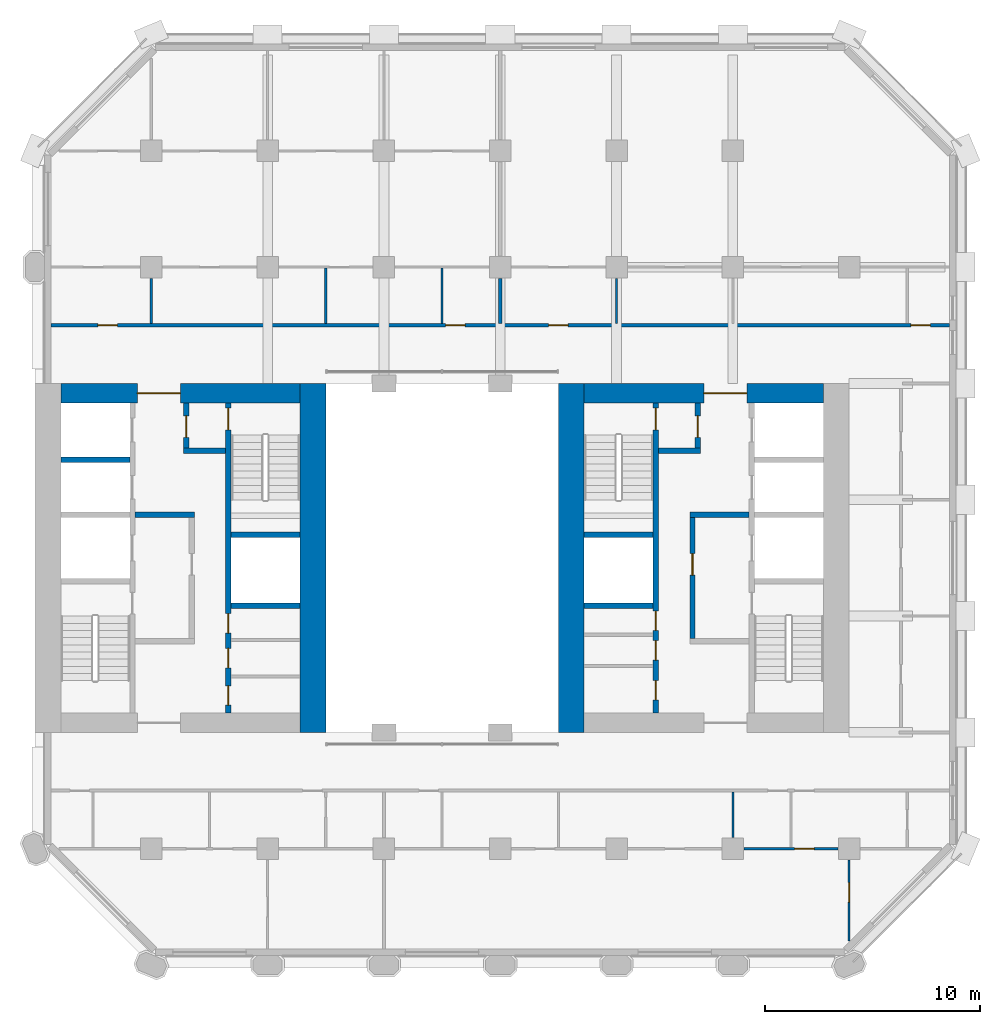
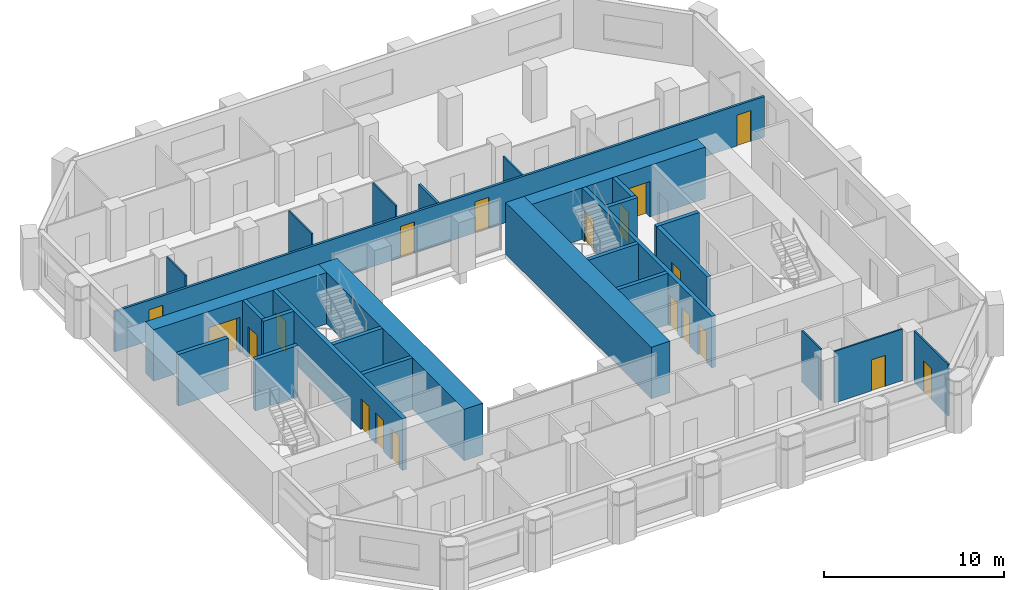
# One storey, part 5 of 10: 27 walls, 19 doors, 19 openings.
"""IFC4 building model written with IfcOpenShell, lengths in metres."""

import ifcopenshell
import ifcopenshell.guid

model = None  # the IFC model being written
_history = None  # IfcOwnerHistory: only IFC2X3 demands one
_inside = {}  # id of a spatial element -> (the spatial element, [elements in it])
_under = {}  # id of a project, library or spatial element -> (it, [spatial elements below it])
_declared = {}  # id of a project -> (the project, [libraries it declares])
_typed = {}  # id of a type object -> (the type object, [elements of that type])
_made_of = {}  # id of a material, layer set ... -> (it, [elements and type objects made of it])


def new_model(schema):
    """Start an empty IFC model of exactly this schema.

    Asked for "IFC4X3", IfcOpenShell would pick the latest addendum, in which some entities
    have other attributes; the version numbers below select the first issue.
    IFC2X3 requires an IfcOwnerHistory on every rooted entity: one is made here for all.
    """
    global model, _history
    if schema == "IFC4X3":
        model = ifcopenshell.file(schema_version=(4, 3, 0, 0))
    else:
        model = ifcopenshell.file(schema=schema)
    _inside.clear()
    _under.clear()
    _declared.clear()
    _typed.clear()
    _made_of.clear()
    _history = None
    if model.schema == "IFC2X3":
        org = make("IfcOrganization", Name="unknown")
        user = make(
            "IfcPersonAndOrganization",
            ThePerson=make("IfcPerson", FamilyName="unknown"),
            TheOrganization=org,
        )
        app = make(
            "IfcApplication",
            ApplicationDeveloper=org,
            Version="unknown",
            ApplicationFullName="unknown",
            ApplicationIdentifier="unknown",
        )
        _history = make(
            "IfcOwnerHistory",
            OwningUser=user,
            OwningApplication=app,
            ChangeAction="ADDED",
            CreationDate=0,
        )
    return model


def make(cls, **values):
    """One entity of the class cls with the attributes given. An attribute that is None is left unset."""
    return model.create_entity(
        cls, **{name: value for name, value in values.items() if value is not None}
    )


def rooted(cls, **values):
    """An entity with a GlobalId (a new one), such as an element, a storey or a relation."""
    return make(cls, GlobalId=ifcopenshell.guid.new(), OwnerHistory=_history, **values)


def si_unit(unit_type, name, prefix=None):
    """IfcSIUnit, for example si_unit("LENGTHUNIT", "METRE", prefix="MILLI")."""
    return make("IfcSIUnit", UnitType=unit_type, Prefix=prefix, Name=name)


def assignment(units):
    """IfcUnitAssignment: the units of a project."""
    return None if units is None else make("IfcUnitAssignment", Units=units)


def point(xyz):
    """IfcCartesianPoint."""
    return None if xyz is None else make("IfcCartesianPoint", Coordinates=xyz)


def direction(xyz):
    """IfcDirection."""
    return None if xyz is None else make("IfcDirection", DirectionRatios=xyz)


def frame(location, z_axis=None, x_axis=None):
    """IfcAxis2Placement3D, a coordinate frame: its origin and axes. An axis left out is left unset."""
    return make(
        "IfcAxis2Placement3D",
        Location=point(location),
        Axis=direction(z_axis),
        RefDirection=direction(x_axis),
    )


def frame_2d(location, x_axis=None):
    """IfcAxis2Placement2D, a coordinate frame in the plane: its origin and x axis."""
    return make(
        "IfcAxis2Placement2D", Location=point(location), RefDirection=direction(x_axis)
    )


def origin():
    """The frame at (0, 0, 0) with its axes left unset."""
    return frame((0.0, 0.0, 0.0))


def place(relative_to, where):
    """IfcLocalPlacement: puts the frame where relative to a parent placement (None: the world)."""
    return make(
        "IfcLocalPlacement", PlacementRelTo=relative_to, RelativePlacement=where
    )


def context(
    kind, dimensions, precision=None, world=None, true_north=None, identifier=None
):
    """IfcGeometricRepresentationContext, for example the 3D "Model" context."""
    return make(
        "IfcGeometricRepresentationContext",
        ContextIdentifier=identifier,
        ContextType=kind,
        CoordinateSpaceDimension=dimensions,
        Precision=precision,
        WorldCoordinateSystem=world,
        TrueNorth=true_north,
    )


def subcontext(parent, identifier, kind, view, scale=None):
    """IfcGeometricRepresentationSubContext, for example "Body" below "Model"."""
    return make(
        "IfcGeometricRepresentationSubContext",
        ContextIdentifier=identifier,
        ContextType=kind,
        ParentContext=parent,
        TargetScale=scale,
        TargetView=view,
    )


def project(units=None, contexts=None):
    """IfcProject with its units and contexts."""
    return rooted(
        "IfcProject",
        Name="project",
        RepresentationContexts=contexts,
        UnitsInContext=assignment(units),
    )


def spatial(cls, under=None, at=None, **own):
    """A site, building, storey or space (cls), placed at a placement, below another one or the project."""
    s = rooted(cls, ObjectPlacement=at, **own)
    if under is not None:
        _under.setdefault(under.id(), (under, []))[1].append(s)
    return s


def profile(cls, at=None, kind="AREA", **sizes):
    """A parametric profile (cls). Its sizes go by their IFC names, for example OverallWidth=200.0."""
    return make(cls, ProfileType=kind, Position=at, **sizes)


def rectangle(**sizes):
    """IfcRectangleProfileDef."""
    return profile("IfcRectangleProfileDef", **sizes)


def extrude(swept, where, along, depth):
    """IfcExtrudedAreaSolid: the profile swept, set in the frame where, extruded along a direction by depth."""
    return make(
        "IfcExtrudedAreaSolid",
        SweptArea=swept,
        Position=where,
        ExtrudedDirection=direction(along),
        Depth=depth,
    )


def shape(context_of_items, identifier, shape_type, items):
    """IfcShapeRepresentation: the items that make up one representation, for example the "Body"."""
    return make(
        "IfcShapeRepresentation",
        ContextOfItems=context_of_items,
        RepresentationIdentifier=identifier,
        RepresentationType=shape_type,
        Items=items,
    )


def material(Name=None, Category=None):
    """IfcMaterial."""
    return make("IfcMaterial", Name=Name, Category=Category)


def layer(
    of_material, thickness, ventilated=None, Name=None, Category=None, Priority=None
):
    """IfcMaterialLayer: one layer of a wall or slab, of a material (None: an air gap)."""
    return make(
        "IfcMaterialLayer",
        Material=of_material,
        LayerThickness=thickness,
        IsVentilated=ventilated,
        Name=Name,
        Category=Category,
        Priority=Priority,
    )


def layer_set(layers, Name=None):
    """IfcMaterialLayerSet."""
    return make("IfcMaterialLayerSet", MaterialLayers=layers, LayerSetName=Name)


def made_of(thing, what):
    """Note that an element or type object is made of a material, layer set ...; save() writes the relation."""
    if what is not None:
        _made_of.setdefault(what.id(), (what, []))[1].append(thing)
    return thing


def type_object(cls, material=None, **own):
    """A type object (cls), such as IfcWallType, which elements share."""
    return made_of(rooted(cls, **own), material)


def element(
    cls,
    number,
    at=None,
    inside=None,
    cuts=None,
    type_object=None,
    material=None,
    context=None,
    identifier="Body",
    shape_type=None,
    held_by="IfcProductDefinitionShape",
    body=None,
    shapes=None,
    **own,
):
    """One element of the class cls, such as IfcWall. Its Tag is "e" and its number.

    at: its placement. inside: the storey or other place that contains it. cuts: it is an
    opening in that element (IfcRelVoidsElement). A single representation is given by context,
    identifier, shape_type and body (its items); several are given by shapes. held_by: the class
    of the entity that holds the representations. save() writes the other relations.
    """
    e = rooted(cls, Tag="e%d" % number, ObjectPlacement=at, **own)
    if body is not None:
        shapes = [shape(context, identifier, shape_type, body)]
    if shapes is not None:
        e.Representation = make(held_by, Representations=shapes)
    if inside is not None:
        _inside.setdefault(inside.id(), (inside, []))[1].append(e)
    if cuts is not None:
        rooted(
            "IfcRelVoidsElement", RelatingBuildingElement=cuts, RelatedOpeningElement=e
        )
    if type_object is not None:
        _typed.setdefault(type_object.id(), (type_object, []))[1].append(e)
    return made_of(e, material)


def fill(opening, filler):
    """IfcRelFillsElement: the door or window that sits in an opening."""
    return rooted(
        "IfcRelFillsElement",
        RelatingOpeningElement=opening,
        RelatedBuildingElement=filler,
    )


def aggregate(whole, parts):
    """IfcRelAggregates: a whole, such as a stair, and the parts it consists of."""
    return rooted("IfcRelAggregates", RelatingObject=whole, RelatedObjects=parts)


def save(model, path):
    """Write the relations noted so far, then the file.

    IfcRelAggregates (storeys below a building ...), IfcRelContainedInSpatialStructure (elements
    in a storey), IfcRelDefinesByType, IfcRelAssociatesMaterial and IfcRelDeclares: one each for
    every whole, place, type object, material and project.
    """
    for whole, parts in _under.values():
        aggregate(whole, parts)
    for where, things in _inside.values():
        rooted(
            "IfcRelContainedInSpatialStructure",
            RelatedElements=things,
            RelatingStructure=where,
        )
    for kind, things in _typed.values():
        rooted("IfcRelDefinesByType", RelatedObjects=things, RelatingType=kind)
    for what, things in _made_of.values():
        rooted("IfcRelAssociatesMaterial", RelatedObjects=things, RelatingMaterial=what)
    for by, libraries in _declared.values():
        rooted("IfcRelDeclares", RelatingContext=by, RelatedDefinitions=libraries)
    model.write(path)


model = new_model("IFC4")

# Units and contexts
model_context = context("Model", 3, precision=1e-05, world=origin(), true_north=direction((0.0, 1.0)))
body_context = subcontext(model_context, "Body", "Model", "MODEL_VIEW")
ifc_project = project(units=[si_unit("LENGTHUNIT", "METRE"), si_unit("AREAUNIT", "SQUARE_METRE"), si_unit("VOLUMEUNIT", "CUBIC_METRE"), si_unit("PLANEANGLEUNIT", "RADIAN"), si_unit("MASSUNIT", "GRAM", prefix="KILO")], contexts=[model_context])

# Site, building, storey
site_placement = place(None, origin())
site = spatial("IfcSite", under=ifc_project, at=site_placement, CompositionType="ELEMENT")
building_placement = place(site_placement, origin())
building = spatial("IfcBuilding", under=site, at=building_placement, Name="Tabaq Tower and Sports Hall", CompositionType="ELEMENT")
storey_placement = place(building_placement, frame((0.0, 0.0, 87.800048828125)))
storey = spatial("IfcBuildingStorey", under=building, at=storey_placement, Name="L20", CompositionType="ELEMENT", Elevation=87.800048828125)

# Walls
ifc_material_1 = material(Name="Concrete C60/75", Category="concrete")
ifc_layer_1 = layer(ifc_material_1, 1.199951171875)
ifc_layer_set_1 = layer_set([ifc_layer_1], Name="Core wall 1200 Concrete C60/75")
wall_type_1 = type_object("IfcWallType", Name="Core wall 1200 Concrete C60/75", PredefinedType="SOLIDWALL", material=ifc_layer_set_1)
for number, where, z_axis, x_axis, name in (
    (1, (18.300048828125, 32.39990234375, 0.0), (0.0, 0.0, 1.0), (0.0, -1.0, 0.0), "Core wall W L20"),
    (2, (30.300048828125, 16.199951171875, 0.0), (0.0, 0.0, 1.0), (0.0, 1.0, 0.0), "Core wall E L20"),
):
    element("IfcWall", number, at=place(storey_placement, frame(where, z_axis=z_axis, x_axis=x_axis)), inside=storey, type_object=wall_type_1, Name=name, PredefinedType="SOLIDWALL", context=body_context, shape_type="SweptSolid", body=[
        extrude(rectangle(XDim=16.199951171875, YDim=1.199951171875, at=frame_2d((8.10009765625, 0.0))), origin(), (0.0, 0.0, 1.0), 3.5),
    ])

# Wall, opening, door
ifc_material_2 = material(Name="Concrete C60/75", Category="concrete")
ifc_layer_2 = layer(ifc_material_2, 0.89990234375)
ifc_layer_set_2 = layer_set([ifc_layer_2], Name="Core wall 900 Concrete C60/75")
wall_type_2 = type_object("IfcWallType", Name="Core wall 900 Concrete C60/75", PredefinedType="SOLIDWALL", material=ifc_layer_set_2)
wall_1_placement = place(storey_placement, frame((6.60009765625, 31.949951171875, 0.0), z_axis=(0.0, 0.0, 1.0), x_axis=(1.0, 0.0, 0.0)))
wall_1 = element("IfcWall", 3, at=wall_1_placement, inside=storey, type_object=wall_type_2, Name="Core wall W L20", PredefinedType="SOLIDWALL", context=body_context, shape_type="SweptSolid", body=[
    extrude(rectangle(XDim=11.099853515625, YDim=0.89990234375, at=frame_2d((5.5498046875, 0.0))), origin(), (0.0, 0.0, 1.0), 3.5),
])
opening_1_placement = place(wall_1_placement, frame((3.550048828125, 0.0, 0.0)))
opening_1 = element("IfcOpeningElement", 4, at=opening_1_placement, cuts=wall_1, Name="Opening PD-WL20-02", PredefinedType="OPENING", context=body_context, shape_type="SweptSolid", body=[
    extrude(rectangle(XDim=2.0, YDim=2.39990234375, at=frame_2d((1.0, 1.199951171875))), frame((0.0, 0.449951171875, 0.0), z_axis=(0.0, -1.0, 0.0), x_axis=(1.0, 0.0, 0.0)), (0.0, 0.0, 1.0), 0.89990234375),
])
ifc_material_3 = material(Name="Steel fire door", Category="steel")
door_type_1 = type_object("IfcDoorType", Name="Core entrance door 2000", OperationType="DOUBLE_DOOR_SINGLE_SWING", PredefinedType="DOOR", material=ifc_material_3)
door_1_placement = place(opening_1_placement, origin())
door_1 = element("IfcDoor", 5, at=door_1_placement, inside=storey, type_object=door_type_1, Name="Core entrance north W L20", OperationType="DOUBLE_DOOR_SINGLE_SWING", OverallHeight=2.39990234375, OverallWidth=2.0, PredefinedType="DOOR", context=body_context, shape_type="SweptSolid", body=[
    extrude(rectangle(XDim=2.0, YDim=2.39990234375, at=frame_2d((1.0, 1.199951171875))), frame((0.0, 0.02490234375, 0.0), z_axis=(0.0, -1.0, 0.0), x_axis=(1.0, 0.0, 0.0)), (0.0, 0.0, 1.0), 0.050048828125),
])
fill(opening_1, door_1)

wall_2_placement = place(storey_placement, frame((30.89990234375, 31.949951171875, 0.0), z_axis=(0.0, 0.0, 1.0), x_axis=(1.0, 0.0, 0.0)))
wall_2 = element("IfcWall", 6, at=wall_2_placement, inside=storey, type_object=wall_type_2, Name="Core wall E L20", PredefinedType="SOLIDWALL", context=body_context, shape_type="SweptSolid", body=[
    extrude(rectangle(XDim=11.10009765625, YDim=0.89990234375, at=frame_2d((5.550048828125, 0.0))), origin(), (0.0, 0.0, 1.0), 3.5),
])
opening_2_placement = place(wall_2_placement, frame((5.550048828125, 0.0, 0.0)))
opening_2 = element("IfcOpeningElement", 7, at=opening_2_placement, cuts=wall_2, Name="Opening PD-EL20-02", PredefinedType="OPENING", context=body_context, shape_type="SweptSolid", body=[
    extrude(rectangle(XDim=2.0, YDim=2.39990234375, at=frame_2d((1.0, 1.199951171875))), frame((0.0, 0.449951171875, 0.0), z_axis=(0.0, -1.0, 0.0), x_axis=(1.0, 0.0, 0.0)), (0.0, 0.0, 1.0), 0.89990234375),
])
door_2_placement = place(opening_2_placement, origin())
door_2 = element("IfcDoor", 8, at=door_2_placement, inside=storey, type_object=door_type_1, Name="Core entrance north E L20", OperationType="DOUBLE_DOOR_SINGLE_SWING", OverallHeight=2.39990234375, OverallWidth=2.0, PredefinedType="DOOR", context=body_context, shape_type="SweptSolid", body=[
    extrude(rectangle(XDim=2.0, YDim=2.39990234375, at=frame_2d((1.0, 1.199951171875))), frame((0.0, 0.02490234375, 0.0), z_axis=(0.0, -1.0, 0.0), x_axis=(1.0, 0.0, 0.0)), (0.0, 0.0, 1.0), 0.050048828125),
])
fill(opening_2, door_2)

# Walls
ifc_material_4 = material(Name="Gypsum board on steel studs", Category="steel")
ifc_layer_3 = layer(ifc_material_4, 0.10009765625)
ifc_layer_set_3 = layer_set([ifc_layer_3], Name="Partition 100 Gypsum board")
wall_type_3 = type_object("IfcWallType", Name="Partition 100 Gypsum board", PredefinedType="PARTITIONING", material=ifc_layer_set_3)
wall_3_placement = place(storey_placement, frame((10.800048828125, 35.175048828125, 0.0), z_axis=(0.0, 0.0, 1.0), x_axis=(0.0, 1.0, 0.0)))
element("IfcWall", 9, at=wall_3_placement, inside=storey, type_object=wall_type_3, Name="Partition wall L20", PredefinedType="PARTITIONING", context=body_context, shape_type="SweptSolid", body=[
    extrude(rectangle(XDim=2.10498046875, YDim=0.10009765625, at=frame_2d((1.052490234375, 0.0))), origin(), (0.0, 0.0, 1.0), 3.5),
])
for number, where, z_axis, x_axis, name in (
    (10, (18.89990234375, 35.175048828125, 0.0), (0.0, 0.0, 1.0), (0.0, 1.0, 0.0), "Partition wall L20"),
    (11, (24.300048828125, 35.175048828125, 0.0), (0.0, 0.0, 1.0), (0.0, 1.0, 0.0), "Partition wall L20"),
):
    element("IfcWall", number, at=place(storey_placement, frame(where, z_axis=z_axis, x_axis=x_axis)), inside=storey, type_object=wall_type_3, Name=name, PredefinedType="PARTITIONING", context=body_context, shape_type="SweptSolid", body=[
        extrude(rectangle(XDim=2.574951171875, YDim=0.10009765625, at=frame_2d((1.28759765625, 0.0))), origin(), (0.0, 0.0, 1.0), 3.5),
    ])
wall_4_placement = place(storey_placement, frame((32.39990234375, 35.175048828125, 0.0), z_axis=(0.0, 0.0, 1.0), x_axis=(0.0, 1.0, 0.0)))
element("IfcWall", 12, at=wall_4_placement, inside=storey, type_object=wall_type_3, Name="Partition wall L20", PredefinedType="PARTITIONING", context=body_context, shape_type="SweptSolid", body=[
    extrude(rectangle(XDim=2.10498046875, YDim=0.10009765625, at=frame_2d((1.052490234375, 0.0))), origin(), (0.0, 0.0, 1.0), 2.75),
])
wall_5_placement = place(storey_placement, frame((37.800048828125, 11.320068359375, 0.0), z_axis=(0.0, 0.0, 1.0), x_axis=(0.0, 1.0, 0.0)))
element("IfcWall", 13, at=wall_5_placement, inside=storey, type_object=wall_type_3, Name="Partition wall L20", PredefinedType="PARTITIONING", context=body_context, shape_type="SweptSolid", body=[
    extrude(rectangle(XDim=2.10498046875, YDim=0.10009765625, at=frame_2d((1.052490234375, 0.0))), origin(), (0.0, 0.0, 1.0), 3.5),
])

# Wall, opening, door
wall_6_placement = place(storey_placement, frame((38.320068359375, 10.800048828125, 0.0), z_axis=(0.0, 0.0, 1.0), x_axis=(1.0, 0.0, 0.0)))
wall_6 = element("IfcWall", 14, at=wall_6_placement, inside=storey, type_object=wall_type_3, Name="Partition wall L20", PredefinedType="PARTITIONING", context=body_context, shape_type="SweptSolid", body=[
    extrude(rectangle(XDim=4.35986328125, YDim=0.10009765625, at=frame_2d((2.179931640625, 0.0))), origin(), (0.0, 0.0, 1.0), 3.5),
])
opening_3_placement = place(wall_6_placement, frame((2.35009765625, 0.0, 0.0)))
opening_3 = element("IfcOpeningElement", 15, at=opening_3_placement, cuts=wall_6, Name="Opening L20-031", PredefinedType="OPENING", context=body_context, shape_type="SweptSolid", body=[
    extrude(rectangle(XDim=0.89990234375, YDim=2.10009765625, at=frame_2d((0.449951171875, 1.050048828125))), frame((0.0, 0.050048828125, 0.0), z_axis=(0.0, -1.0, 0.0), x_axis=(1.0, 0.0, 0.0)), (0.0, 0.0, 1.0), 0.10009765625),
])
ifc_material_5 = material(Name="Timber leaf in steel frame", Category="steel")
door_type_2 = type_object("IfcDoorType", Name="Internal door 900 left hand", OperationType="SINGLE_SWING_LEFT", PredefinedType="DOOR", material=ifc_material_5)
door_3_placement = place(opening_3_placement, origin())
door_3 = element("IfcDoor", 16, at=door_3_placement, inside=storey, type_object=door_type_2, Name="Internal door L20-031", OperationType="SINGLE_SWING_LEFT", OverallHeight=2.10009765625, OverallWidth=0.89990234375, PredefinedType="DOOR", context=body_context, shape_type="SweptSolid", body=[
    extrude(rectangle(XDim=0.89990234375, YDim=2.10009765625, at=frame_2d((0.449951171875, 1.050048828125))), frame((0.0, 0.02490234375, 0.0), z_axis=(0.0, -1.0, 0.0), x_axis=(1.0, 0.0, 0.0)), (0.0, 0.0, 1.0), 0.050048828125),
])
fill(opening_3, door_3)

wall_7_placement = place(storey_placement, frame((43.199951171875, 6.51220703125, 0.0), z_axis=(0.0, 0.0, 1.0), x_axis=(0.0, 1.0, 0.0)))
wall_7 = element("IfcWall", 17, at=wall_7_placement, inside=storey, type_object=wall_type_3, Name="Partition wall L20", PredefinedType="PARTITIONING", context=body_context, shape_type="SweptSolid", body=[
    extrude(rectangle(XDim=3.767822265625, YDim=0.10009765625, at=frame_2d((1.8837890625, 0.0))), origin(), (0.0, 0.0, 1.0), 3.5),
])
opening_4_placement = place(wall_7_placement, frame((1.81298828125, 0.0, 0.0)))
opening_4 = element("IfcOpeningElement", 18, at=opening_4_placement, cuts=wall_7, Name="Opening L20-023", PredefinedType="OPENING", context=body_context, shape_type="SweptSolid", body=[
    extrude(rectangle(XDim=0.89990234375, YDim=2.10009765625, at=frame_2d((0.449951171875, 1.050048828125))), frame((0.0, 0.050048828125, 0.0), z_axis=(0.0, -1.0, 0.0), x_axis=(1.0, 0.0, 0.0)), (0.0, 0.0, 1.0), 0.10009765625),
])
ifc_material_6 = material(Name="Timber leaf in steel frame", Category="steel")
door_type_3 = type_object("IfcDoorType", Name="Internal door 900 right hand", OperationType="SINGLE_SWING_RIGHT", PredefinedType="DOOR", material=ifc_material_6)
door_4_placement = place(opening_4_placement, origin())
door_4 = element("IfcDoor", 19, at=door_4_placement, inside=storey, type_object=door_type_3, Name="Internal door L20-023", OperationType="SINGLE_SWING_RIGHT", OverallHeight=2.10009765625, OverallWidth=0.89990234375, PredefinedType="DOOR", context=body_context, shape_type="SweptSolid", body=[
    extrude(rectangle(XDim=0.89990234375, YDim=2.10009765625, at=frame_2d((0.449951171875, 1.050048828125))), frame((0.0, 0.02490234375, 0.0), z_axis=(0.0, -1.0, 0.0), x_axis=(1.0, 0.0, 0.0)), (0.0, 0.0, 1.0), 0.050048828125),
])
fill(opening_4, door_4)

# Wall, openings, doors
ifc_material_7 = material(Name="Blockwork", Category="masonry")
ifc_layer_4 = layer(ifc_material_7, 0.14990234375)
ifc_layer_set_4 = layer_set([ifc_layer_4], Name="Separating wall 150 Blockwork")
wall_type_4 = type_object("IfcWallType", Name="Separating wall 150 Blockwork", PredefinedType="PARTITIONING", material=ifc_layer_set_4)
wall_8_placement = place(storey_placement, frame((47.84912109375, 35.10009765625, 0.0), z_axis=(0.0, 0.0, 1.0), x_axis=(-1.0, 0.0, 0.0)))
wall_8 = element("IfcWall", 20, at=wall_8_placement, inside=storey, type_object=wall_type_4, Name="Separating wall L20", PredefinedType="PARTITIONING", context=body_context, shape_type="SweptSolid", body=[
    extrude(rectangle(XDim=41.6982421875, YDim=0.14990234375, at=frame_2d((20.84912109375, 0.0))), origin(), (0.0, 0.0, 1.0), 2.75),
])
opening_5_placement = place(wall_8_placement, frame((22.47900390625, 0.0, 0.0)))
opening_5 = element("IfcOpeningElement", 21, at=opening_5_placement, cuts=wall_8, Name="Opening L20-001", PredefinedType="OPENING", context=body_context, shape_type="SweptSolid", body=[
    extrude(rectangle(XDim=0.89990234375, YDim=2.10009765625, at=frame_2d((0.449951171875, 1.050048828125))), frame((0.0, 0.074951171875, 0.0), z_axis=(0.0, -1.0, 0.0), x_axis=(1.0, 0.0, 0.0)), (0.0, 0.0, 1.0), 0.14990234375),
])
opening_6_placement = place(wall_8_placement, frame((0.87890625, 0.0, 0.0)))
opening_6 = element("IfcOpeningElement", 22, at=opening_6_placement, cuts=wall_8, Name="Opening L20-002", PredefinedType="OPENING", context=body_context, shape_type="SweptSolid", body=[
    extrude(rectangle(XDim=0.89990234375, YDim=2.10009765625, at=frame_2d((0.449951171875, 1.050048828125))), frame((0.0, 0.074951171875, 0.0), z_axis=(0.0, -1.0, 0.0), x_axis=(1.0, 0.0, 0.0)), (0.0, 0.0, 1.0), 0.14990234375),
])
opening_7_placement = place(wall_8_placement, frame((38.6240234375, 0.0, 0.0)))
opening_7 = element("IfcOpeningElement", 23, at=opening_7_placement, cuts=wall_8, Name="Opening L20-024", PredefinedType="OPENING", context=body_context, shape_type="SweptSolid", body=[
    extrude(rectangle(XDim=0.89990234375, YDim=2.10009765625, at=frame_2d((0.449951171875, 1.050048828125))), frame((0.0, 0.074951171875, 0.0), z_axis=(0.0, -1.0, 0.0), x_axis=(1.0, 0.0, 0.0)), (0.0, 0.0, 1.0), 0.14990234375),
])
opening_8_placement = place(wall_8_placement, frame((17.698974609375, 0.0, 0.0)))
opening_8 = element("IfcOpeningElement", 24, at=opening_8_placement, cuts=wall_8, Name="Opening L20-025", PredefinedType="OPENING", context=body_context, shape_type="SweptSolid", body=[
    extrude(rectangle(XDim=0.89990234375, YDim=2.10009765625, at=frame_2d((0.449951171875, 1.050048828125))), frame((0.0, 0.074951171875, 0.0), z_axis=(0.0, -1.0, 0.0), x_axis=(1.0, 0.0, 0.0)), (0.0, 0.0, 1.0), 0.14990234375),
])
ifc_material_8 = material(Name="Steel fire door", Category="steel")
door_type_4 = type_object("IfcDoorType", Name="Entrance door 900 right hand", OperationType="SINGLE_SWING_RIGHT", PredefinedType="DOOR", material=ifc_material_8)
door_5_placement = place(opening_5_placement, origin())
door_5 = element("IfcDoor", 25, at=door_5_placement, inside=storey, type_object=door_type_4, Name="Entrance door L20-001", OperationType="SINGLE_SWING_RIGHT", OverallHeight=2.10009765625, OverallWidth=0.89990234375, PredefinedType="DOOR", context=body_context, shape_type="SweptSolid", body=[
    extrude(rectangle(XDim=0.89990234375, YDim=2.10009765625, at=frame_2d((0.449951171875, 1.050048828125))), frame((0.0, 0.02490234375, 0.0), z_axis=(0.0, -1.0, 0.0), x_axis=(1.0, 0.0, 0.0)), (0.0, 0.0, 1.0), 0.050048828125),
])
fill(opening_5, door_5)
door_6_placement = place(opening_6_placement, origin())
door_6 = element("IfcDoor", 26, at=door_6_placement, inside=storey, type_object=door_type_4, Name="Entrance door L20-002", OperationType="SINGLE_SWING_RIGHT", OverallHeight=2.10009765625, OverallWidth=0.89990234375, PredefinedType="DOOR", context=body_context, shape_type="SweptSolid", body=[
    extrude(rectangle(XDim=0.89990234375, YDim=2.10009765625, at=frame_2d((0.449951171875, 1.050048828125))), frame((0.0, 0.02490234375, 0.0), z_axis=(0.0, -1.0, 0.0), x_axis=(1.0, 0.0, 0.0)), (0.0, 0.0, 1.0), 0.050048828125),
])
fill(opening_6, door_6)
door_7_placement = place(opening_7_placement, origin())
door_7 = element("IfcDoor", 27, at=door_7_placement, inside=storey, type_object=door_type_4, Name="Entrance door L20-024", OperationType="SINGLE_SWING_RIGHT", OverallHeight=2.10009765625, OverallWidth=0.89990234375, PredefinedType="DOOR", context=body_context, shape_type="SweptSolid", body=[
    extrude(rectangle(XDim=0.89990234375, YDim=2.10009765625, at=frame_2d((0.449951171875, 1.050048828125))), frame((0.0, 0.02490234375, 0.0), z_axis=(0.0, -1.0, 0.0), x_axis=(1.0, 0.0, 0.0)), (0.0, 0.0, 1.0), 0.050048828125),
])
fill(opening_7, door_7)
door_8_placement = place(opening_8_placement, origin())
door_8 = element("IfcDoor", 28, at=door_8_placement, inside=storey, type_object=door_type_4, Name="Entrance door L20-025", OperationType="SINGLE_SWING_RIGHT", OverallHeight=2.10009765625, OverallWidth=0.89990234375, PredefinedType="DOOR", context=body_context, shape_type="SweptSolid", body=[
    extrude(rectangle(XDim=0.89990234375, YDim=2.10009765625, at=frame_2d((0.449951171875, 1.050048828125))), frame((0.0, 0.02490234375, 0.0), z_axis=(0.0, -1.0, 0.0), x_axis=(1.0, 0.0, 0.0)), (0.0, 0.0, 1.0), 0.050048828125),
])
fill(opening_8, door_8)

# Wall
wall_9_placement = place(storey_placement, frame((27.0, 35.175048828125, 0.0), z_axis=(0.0, 0.0, 1.0), x_axis=(0.0, 1.0, 0.0)))
element("IfcWall", 29, at=wall_9_placement, inside=storey, type_object=wall_type_4, Name="Separating wall L20", PredefinedType="PARTITIONING", context=body_context, shape_type="SweptSolid", body=[
    extrude(rectangle(XDim=2.10498046875, YDim=0.14990234375, at=frame_2d((1.052490234375, 0.0))), origin(), (0.0, 0.0, 1.0), 2.75),
])

# Wall, openings, doors
ifc_material_9 = material(Name="Concrete C40/50", Category="concrete")
ifc_layer_5 = layer(ifc_material_9, 0.25)
ifc_layer_set_5 = layer_set([ifc_layer_5], Name="Shaft and stair wall 250 Concrete C40/50")
wall_type_5 = type_object("IfcWallType", Name="Shaft and stair wall 250 Concrete C40/50", PredefinedType="SOLIDWALL", material=ifc_layer_set_5)
wall_10_placement = place(storey_placement, frame((14.375, 17.10009765625, 0.0), z_axis=(0.0, 0.0, 1.0), x_axis=(0.0, 1.0, 0.0)))
wall_10 = element("IfcWall", 30, at=wall_10_placement, inside=storey, type_object=wall_type_5, Name="Shaft wall W L20", PredefinedType="SOLIDWALL", context=body_context, shape_type="SweptSolid", body=[
    extrude(rectangle(XDim=14.39990234375, YDim=0.25, at=frame_2d((7.199951171875, 0.0))), origin(), (0.0, 0.0, 1.0), 3.5),
])
opening_9_placement = place(wall_10_placement, frame((13.14990234375, 0.0, 0.0)))
opening_9 = element("IfcOpeningElement", 31, at=opening_9_placement, cuts=wall_10, Name="Opening SD-WL20-05", PredefinedType="OPENING", context=body_context, shape_type="SweptSolid", body=[
    extrude(rectangle(XDim=1.0, YDim=2.10009765625, at=frame_2d((0.5, 1.050048828125))), frame((0.0, 0.125, 0.0), z_axis=(0.0, -1.0, 0.0), x_axis=(1.0, 0.0, 0.0)), (0.0, 0.0, 1.0), 0.25),
])
opening_10_placement = place(wall_10_placement, frame((0.361083984375, 0.0, 0.0)))
opening_10 = element("IfcOpeningElement", 32, at=opening_10_placement, cuts=wall_10, Name="Opening RD-WL20-10", PredefinedType="OPENING", context=body_context, shape_type="SweptSolid", body=[
    extrude(rectangle(XDim=0.89990234375, YDim=2.10009765625, at=frame_2d((0.449951171875, 1.050048828125))), frame((0.0, 0.125, 0.0), z_axis=(0.0, -1.0, 0.0), x_axis=(1.0, 0.0, 0.0)), (0.0, 0.0, 1.0), 0.25),
])
opening_11_placement = place(wall_10_placement, frame((2.095458984375, 0.0, 0.0)))
opening_11 = element("IfcOpeningElement", 33, at=opening_11_placement, cuts=wall_10, Name="Opening RD-WL20-11", PredefinedType="OPENING", context=body_context, shape_type="SweptSolid", body=[
    extrude(rectangle(XDim=0.89990234375, YDim=2.10009765625, at=frame_2d((0.449951171875, 1.050048828125))), frame((0.0, 0.125, 0.0), z_axis=(0.0, -1.0, 0.0), x_axis=(1.0, 0.0, 0.0)), (0.0, 0.0, 1.0), 0.25),
])
opening_12_placement = place(wall_10_placement, frame((3.70947265625, 0.0, 0.0)))
opening_12 = element("IfcOpeningElement", 34, at=opening_12_placement, cuts=wall_10, Name="Opening RD-WL20-12", PredefinedType="OPENING", context=body_context, shape_type="SweptSolid", body=[
    extrude(rectangle(XDim=0.89990234375, YDim=2.10009765625, at=frame_2d((0.449951171875, 1.050048828125))), frame((0.0, 0.125, 0.0), z_axis=(0.0, -1.0, 0.0), x_axis=(1.0, 0.0, 0.0)), (0.0, 0.0, 1.0), 0.25),
])
ifc_material_10 = material(Name="Steel fire door", Category="steel")
door_type_5 = type_object("IfcDoorType", Name="Core room door 900", OperationType="SINGLE_SWING_LEFT", PredefinedType="DOOR", material=ifc_material_10)
door_9_placement = place(opening_10_placement, origin())
door_9 = element("IfcDoor", 35, at=door_9_placement, inside=storey, type_object=door_type_5, Name="Door Accessible WC W L20", OperationType="SINGLE_SWING_LEFT", OverallHeight=2.10009765625, OverallWidth=0.89990234375, PredefinedType="DOOR", context=body_context, shape_type="SweptSolid", body=[
    extrude(rectangle(XDim=0.89990234375, YDim=2.10009765625, at=frame_2d((0.449951171875, 1.050048828125))), frame((0.0, 0.02490234375, 0.0), z_axis=(0.0, -1.0, 0.0), x_axis=(1.0, 0.0, 0.0)), (0.0, 0.0, 1.0), 0.050048828125),
])
fill(opening_10, door_9)
door_10_placement = place(opening_11_placement, origin())
door_10 = element("IfcDoor", 36, at=door_10_placement, inside=storey, type_object=door_type_5, Name="Door Unisex WC W L20", OperationType="SINGLE_SWING_LEFT", OverallHeight=2.10009765625, OverallWidth=0.89990234375, PredefinedType="DOOR", context=body_context, shape_type="SweptSolid", body=[
    extrude(rectangle(XDim=0.89990234375, YDim=2.10009765625, at=frame_2d((0.449951171875, 1.050048828125))), frame((0.0, 0.02490234375, 0.0), z_axis=(0.0, -1.0, 0.0), x_axis=(1.0, 0.0, 0.0)), (0.0, 0.0, 1.0), 0.050048828125),
])
fill(opening_11, door_10)
door_11_placement = place(opening_12_placement, origin())
door_11 = element("IfcDoor", 37, at=door_11_placement, inside=storey, type_object=door_type_5, Name="Door Cleaner's Store W L20", OperationType="SINGLE_SWING_LEFT", OverallHeight=2.10009765625, OverallWidth=0.89990234375, PredefinedType="DOOR", context=body_context, shape_type="SweptSolid", body=[
    extrude(rectangle(XDim=0.89990234375, YDim=2.10009765625, at=frame_2d((0.449951171875, 1.050048828125))), frame((0.0, 0.02490234375, 0.0), z_axis=(0.0, -1.0, 0.0), x_axis=(1.0, 0.0, 0.0)), (0.0, 0.0, 1.0), 0.050048828125),
])
fill(opening_12, door_11)
ifc_material_11 = material(Name="Steel fire door", Category="steel")
door_type_6 = type_object("IfcDoorType", Name="Stair door 1000", OperationType="SINGLE_SWING_LEFT", PredefinedType="DOOR", material=ifc_material_11)
door_12_placement = place(opening_9_placement, origin())
door_12 = element("IfcDoor", 38, at=door_12_placement, inside=storey, type_object=door_type_6, Name="Stair door ST2 W L20", OperationType="SINGLE_SWING_LEFT", OverallHeight=2.10009765625, OverallWidth=1.0, PredefinedType="DOOR", context=body_context, shape_type="SweptSolid", body=[
    extrude(rectangle(XDim=1.0, YDim=2.10009765625, at=frame_2d((0.5, 1.050048828125))), frame((0.0, 0.02490234375, 0.0), z_axis=(0.0, -1.0, 0.0), x_axis=(1.0, 0.0, 0.0)), (0.0, 0.0, 1.0), 0.050048828125),
])
fill(opening_9, door_12)

# Walls
for number, where, z_axis, x_axis, name in (
    (39, (14.5, 25.375, 0.0), (0.0, 0.0, 1.0), (1.0, 0.0, 0.0), "Stair enclosure wall W L20"),
    (40, (14.5, 22.074951171875, 0.0), (0.0, 0.0, 1.0), (1.0, 0.0, 0.0), "Shaft wall W L20"),
):
    element("IfcWall", number, at=place(storey_placement, frame(where, z_axis=z_axis, x_axis=x_axis)), inside=storey, type_object=wall_type_5, Name=name, PredefinedType="SOLIDWALL", context=body_context, shape_type="SweptSolid", body=[
        extrude(rectangle(XDim=3.199951171875, YDim=0.25, at=frame_2d((1.60009765625, 0.0))), origin(), (0.0, 0.0, 1.0), 3.5),
    ])
wall_11_placement = place(storey_placement, frame((10.050048828125, 26.300048828125, 0.0), z_axis=(0.0, 0.0, 1.0), x_axis=(1.0, 0.0, 0.0)))
element("IfcWall", 41, at=wall_11_placement, inside=storey, type_object=wall_type_5, Name="Fire-fighting lobby wall W L20", PredefinedType="SOLIDWALL", context=body_context, shape_type="SweptSolid", body=[
    extrude(rectangle(XDim=2.75, YDim=0.25, at=frame_2d((1.375, 0.0))), origin(), (0.0, 0.0, 1.0), 3.5),
])

# Wall, opening, door
wall_12_placement = place(storey_placement, frame((12.425048828125, 29.39990234375, 0.0), z_axis=(0.0, 0.0, 1.0), x_axis=(0.0, 1.0, 0.0)))
wall_12 = element("IfcWall", 42, at=wall_12_placement, inside=storey, type_object=wall_type_5, Name="Fire-fighting lobby wall W L20", PredefinedType="SOLIDWALL", context=body_context, shape_type="SweptSolid", body=[
    extrude(rectangle(XDim=2.10009765625, YDim=0.25, at=frame_2d((1.050048828125, 0.0))), origin(), (0.0, 0.0, 1.0), 3.5),
])
opening_13_placement = place(wall_12_placement, frame((0.5, 0.0, 0.0)))
opening_13 = element("IfcOpeningElement", 43, at=opening_13_placement, cuts=wall_12, Name="Opening FD-WL20-06", PredefinedType="OPENING", context=body_context, shape_type="SweptSolid", body=[
    extrude(rectangle(XDim=1.0, YDim=2.10009765625, at=frame_2d((0.5, 1.050048828125))), frame((0.0, 0.125, 0.0), z_axis=(0.0, -1.0, 0.0), x_axis=(1.0, 0.0, 0.0)), (0.0, 0.0, 1.0), 0.25),
])
ifc_material_12 = material(Name="Steel fire door", Category="steel")
door_type_7 = type_object("IfcDoorType", Name="Fire-fighting lobby door 1000", OperationType="SINGLE_SWING_LEFT", PredefinedType="DOOR", material=ifc_material_12)
door_13_placement = place(opening_13_placement, origin())
door_13 = element("IfcDoor", 44, at=door_13_placement, inside=storey, type_object=door_type_7, Name="Stair lobby door W L20", OperationType="SINGLE_SWING_LEFT", OverallHeight=2.10009765625, OverallWidth=1.0, PredefinedType="DOOR", context=body_context, shape_type="SweptSolid", body=[
    extrude(rectangle(XDim=1.0, YDim=2.10009765625, at=frame_2d((0.5, 1.050048828125))), frame((0.0, 0.02490234375, 0.0), z_axis=(0.0, -1.0, 0.0), x_axis=(1.0, 0.0, 0.0)), (0.0, 0.0, 1.0), 0.050048828125),
])
fill(opening_13, door_13)

# Walls
wall_13_placement = place(storey_placement, frame((12.300048828125, 29.27490234375, 0.0), z_axis=(0.0, 0.0, 1.0), x_axis=(1.0, 0.0, 0.0)))
element("IfcWall", 45, at=wall_13_placement, inside=storey, type_object=wall_type_5, Name="Fire-fighting lobby wall W L20", PredefinedType="SOLIDWALL", context=body_context, shape_type="SweptSolid", body=[
    extrude(rectangle(XDim=1.949951171875, YDim=0.25, at=frame_2d((0.97509765625, 0.0))), origin(), (0.0, 0.0, 1.0), 3.5),
])
wall_14_placement = place(storey_placement, frame((6.60009765625, 28.85009765625, 0.0), z_axis=(0.0, 0.0, 1.0), x_axis=(1.0, 0.0, 0.0)))
element("IfcWall", 46, at=wall_14_placement, inside=storey, type_object=wall_type_5, Name="Shaft wall W L20", PredefinedType="SOLIDWALL", context=body_context, shape_type="SweptSolid", body=[
    extrude(rectangle(XDim=3.199951171875, YDim=0.25, at=frame_2d((1.60009765625, 0.0))), origin(), (0.0, 0.0, 1.0), 3.5),
])

# Wall, openings, doors
wall_15_placement = place(storey_placement, frame((34.22509765625, 17.10009765625, 0.0), z_axis=(0.0, 0.0, 1.0), x_axis=(0.0, 1.0, 0.0)))
wall_15 = element("IfcWall", 47, at=wall_15_placement, inside=storey, type_object=wall_type_5, Name="Shaft wall E L20", PredefinedType="SOLIDWALL", context=body_context, shape_type="SweptSolid", body=[
    extrude(rectangle(XDim=14.39990234375, YDim=0.25, at=frame_2d((7.199951171875, 0.0))), origin(), (0.0, 0.0, 1.0), 3.5),
])
opening_14_placement = place(wall_15_placement, frame((13.14990234375, 0.0, 0.0)))
opening_14 = element("IfcOpeningElement", 48, at=opening_14_placement, cuts=wall_15, Name="Opening SD-EL20-05", PredefinedType="OPENING", context=body_context, shape_type="SweptSolid", body=[
    extrude(rectangle(XDim=1.0, YDim=2.10009765625, at=frame_2d((0.5, 1.050048828125))), frame((0.0, 0.125, 0.0), z_axis=(0.0, -1.0, 0.0), x_axis=(1.0, 0.0, 0.0)), (0.0, 0.0, 1.0), 0.25),
])
opening_15_placement = place(wall_15_placement, frame((0.60400390625, 0.0, 0.0)))
opening_15 = element("IfcOpeningElement", 49, at=opening_15_placement, cuts=wall_15, Name="Opening RD-EL20-10", PredefinedType="OPENING", context=body_context, shape_type="SweptSolid", body=[
    extrude(rectangle(XDim=0.89990234375, YDim=2.10009765625, at=frame_2d((0.449951171875, 1.050048828125))), frame((0.0, 0.125, 0.0), z_axis=(0.0, -1.0, 0.0), x_axis=(1.0, 0.0, 0.0)), (0.0, 0.0, 1.0), 0.25),
])
opening_16_placement = place(wall_15_placement, frame((2.46044921875, 0.0, 0.0)))
opening_16 = element("IfcOpeningElement", 50, at=opening_16_placement, cuts=wall_15, Name="Opening RD-EL20-11", PredefinedType="OPENING", context=body_context, shape_type="SweptSolid", body=[
    extrude(rectangle(XDim=0.89990234375, YDim=2.10009765625, at=frame_2d((0.449951171875, 1.050048828125))), frame((0.0, 0.125, 0.0), z_axis=(0.0, -1.0, 0.0), x_axis=(1.0, 0.0, 0.0)), (0.0, 0.0, 1.0), 0.25),
])
opening_17_placement = place(wall_15_placement, frame((3.83154296875, 0.0, 0.0)))
opening_17 = element("IfcOpeningElement", 51, at=opening_17_placement, cuts=wall_15, Name="Opening RD-EL20-12", PredefinedType="OPENING", context=body_context, shape_type="SweptSolid", body=[
    extrude(rectangle(XDim=0.89990234375, YDim=2.10009765625, at=frame_2d((0.449951171875, 1.050048828125))), frame((0.0, 0.125, 0.0), z_axis=(0.0, -1.0, 0.0), x_axis=(1.0, 0.0, 0.0)), (0.0, 0.0, 1.0), 0.25),
])
door_14_placement = place(opening_15_placement, origin())
door_14 = element("IfcDoor", 52, at=door_14_placement, inside=storey, type_object=door_type_5, Name="Door Unisex WC E L20", OperationType="SINGLE_SWING_LEFT", OverallHeight=2.10009765625, OverallWidth=0.89990234375, PredefinedType="DOOR", context=body_context, shape_type="SweptSolid", body=[
    extrude(rectangle(XDim=0.89990234375, YDim=2.10009765625, at=frame_2d((0.449951171875, 1.050048828125))), frame((0.0, 0.02490234375, 0.0), z_axis=(0.0, -1.0, 0.0), x_axis=(1.0, 0.0, 0.0)), (0.0, 0.0, 1.0), 0.050048828125),
])
fill(opening_15, door_14)
door_15_placement = place(opening_16_placement, origin())
door_15 = element("IfcDoor", 53, at=door_15_placement, inside=storey, type_object=door_type_5, Name="Door Accessible WC E L20", OperationType="SINGLE_SWING_LEFT", OverallHeight=2.10009765625, OverallWidth=0.89990234375, PredefinedType="DOOR", context=body_context, shape_type="SweptSolid", body=[
    extrude(rectangle(XDim=0.89990234375, YDim=2.10009765625, at=frame_2d((0.449951171875, 1.050048828125))), frame((0.0, 0.02490234375, 0.0), z_axis=(0.0, -1.0, 0.0), x_axis=(1.0, 0.0, 0.0)), (0.0, 0.0, 1.0), 0.050048828125),
])
fill(opening_16, door_15)
door_16_placement = place(opening_17_placement, origin())
door_16 = element("IfcDoor", 54, at=door_16_placement, inside=storey, type_object=door_type_5, Name="Door Electrical Riser Room E L20", OperationType="SINGLE_SWING_LEFT", OverallHeight=2.10009765625, OverallWidth=0.89990234375, PredefinedType="DOOR", context=body_context, shape_type="SweptSolid", body=[
    extrude(rectangle(XDim=0.89990234375, YDim=2.10009765625, at=frame_2d((0.449951171875, 1.050048828125))), frame((0.0, 0.02490234375, 0.0), z_axis=(0.0, -1.0, 0.0), x_axis=(1.0, 0.0, 0.0)), (0.0, 0.0, 1.0), 0.050048828125),
])
fill(opening_17, door_16)
door_17_placement = place(opening_14_placement, origin())
door_17 = element("IfcDoor", 55, at=door_17_placement, inside=storey, type_object=door_type_6, Name="Stair door ST4 E L20", OperationType="SINGLE_SWING_LEFT", OverallHeight=2.10009765625, OverallWidth=1.0, PredefinedType="DOOR", context=body_context, shape_type="SweptSolid", body=[
    extrude(rectangle(XDim=1.0, YDim=2.10009765625, at=frame_2d((0.5, 1.050048828125))), frame((0.0, 0.02490234375, 0.0), z_axis=(0.0, -1.0, 0.0), x_axis=(1.0, 0.0, 0.0)), (0.0, 0.0, 1.0), 0.050048828125),
])
fill(opening_14, door_17)

# Walls
for number, where, z_axis, x_axis, name in (
    (56, (30.89990234375, 25.375, 0.0), (0.0, 0.0, 1.0), (1.0, 0.0, 0.0), "Stair enclosure wall E L20"),
    (57, (30.89990234375, 22.074951171875, 0.0), (0.0, 0.0, 1.0), (1.0, 0.0, 0.0), "Shaft wall E L20"),
):
    element("IfcWall", number, at=place(storey_placement, frame(where, z_axis=z_axis, x_axis=x_axis)), inside=storey, type_object=wall_type_5, Name=name, PredefinedType="SOLIDWALL", context=body_context, shape_type="SweptSolid", body=[
        extrude(rectangle(XDim=3.2001953125, YDim=0.25, at=frame_2d((1.60009765625, 0.0))), origin(), (0.0, 0.0, 1.0), 3.5),
    ])
wall_16_placement = place(storey_placement, frame((35.800048828125, 26.300048828125, 0.0), z_axis=(0.0, 0.0, 1.0), x_axis=(1.0, 0.0, 0.0)))
element("IfcWall", 58, at=wall_16_placement, inside=storey, type_object=wall_type_5, Name="Fire-fighting lobby wall E L20", PredefinedType="SOLIDWALL", context=body_context, shape_type="SweptSolid", body=[
    extrude(rectangle(XDim=2.75, YDim=0.25, at=frame_2d((1.375, 0.0))), origin(), (0.0, 0.0, 1.0), 3.5),
])

# Wall, opening, door
wall_17_placement = place(storey_placement, frame((36.175048828125, 29.39990234375, 0.0), z_axis=(0.0, 0.0, 1.0), x_axis=(0.0, 1.0, 0.0)))
wall_17 = element("IfcWall", 59, at=wall_17_placement, inside=storey, type_object=wall_type_5, Name="Fire-fighting lobby wall E L20", PredefinedType="SOLIDWALL", context=body_context, shape_type="SweptSolid", body=[
    extrude(rectangle(XDim=2.10009765625, YDim=0.25, at=frame_2d((1.050048828125, 0.0))), origin(), (0.0, 0.0, 1.0), 3.5),
])
opening_18_placement = place(wall_17_placement, frame((0.5, 0.0, 0.0)))
opening_18 = element("IfcOpeningElement", 60, at=opening_18_placement, cuts=wall_17, Name="Opening FD-EL20-06", PredefinedType="OPENING", context=body_context, shape_type="SweptSolid", body=[
    extrude(rectangle(XDim=1.0, YDim=2.10009765625, at=frame_2d((0.5, 1.050048828125))), frame((0.0, 0.125, 0.0), z_axis=(0.0, -1.0, 0.0), x_axis=(1.0, 0.0, 0.0)), (0.0, 0.0, 1.0), 0.25),
])
door_18_placement = place(opening_18_placement, origin())
door_18 = element("IfcDoor", 61, at=door_18_placement, inside=storey, type_object=door_type_7, Name="Stair lobby door E L20", OperationType="SINGLE_SWING_LEFT", OverallHeight=2.10009765625, OverallWidth=1.0, PredefinedType="DOOR", context=body_context, shape_type="SweptSolid", body=[
    extrude(rectangle(XDim=1.0, YDim=2.10009765625, at=frame_2d((0.5, 1.050048828125))), frame((0.0, 0.02490234375, 0.0), z_axis=(0.0, -1.0, 0.0), x_axis=(1.0, 0.0, 0.0)), (0.0, 0.0, 1.0), 0.050048828125),
])
fill(opening_18, door_18)

# Wall
wall_18_placement = place(storey_placement, frame((34.35009765625, 29.27490234375, 0.0), z_axis=(0.0, 0.0, 1.0), x_axis=(1.0, 0.0, 0.0)))
element("IfcWall", 62, at=wall_18_placement, inside=storey, type_object=wall_type_5, Name="Fire-fighting lobby wall E L20", PredefinedType="SOLIDWALL", context=body_context, shape_type="SweptSolid", body=[
    extrude(rectangle(XDim=1.949951171875, YDim=0.25, at=frame_2d((0.97509765625, 0.0))), origin(), (0.0, 0.0, 1.0), 3.5),
])

# Wall, opening, door
wall_19_placement = place(storey_placement, frame((35.925048828125, 20.550048828125, 0.0), z_axis=(0.0, 0.0, 1.0), x_axis=(0.0, 1.0, 0.0)))
wall_19 = element("IfcWall", 63, at=wall_19_placement, inside=storey, type_object=wall_type_5, Name="Fire-fighting lobby wall E L20", PredefinedType="SOLIDWALL", context=body_context, shape_type="SweptSolid", body=[
    extrude(rectangle(XDim=5.625, YDim=0.25, at=frame_2d((2.8125, 0.0))), origin(), (0.0, 0.0, 1.0), 3.5),
])
opening_19_placement = place(wall_19_placement, frame((2.949951171875, 0.0, 0.0)))
opening_19 = element("IfcOpeningElement", 64, at=opening_19_placement, cuts=wall_19, Name="Opening FD-EL20-04", PredefinedType="OPENING", context=body_context, shape_type="SweptSolid", body=[
    extrude(rectangle(XDim=1.0, YDim=2.10009765625, at=frame_2d((0.5, 1.050048828125))), frame((0.0, 0.125, 0.0), z_axis=(0.0, -1.0, 0.0), x_axis=(1.0, 0.0, 0.0)), (0.0, 0.0, 1.0), 0.25),
])
door_19_placement = place(opening_19_placement, origin())
door_19 = element("IfcDoor", 65, at=door_19_placement, inside=storey, type_object=door_type_7, Name="Fire-fighting lobby door E L20", OperationType="SINGLE_SWING_LEFT", OverallHeight=2.10009765625, OverallWidth=1.0, PredefinedType="DOOR", context=body_context, shape_type="SweptSolid", body=[
    extrude(rectangle(XDim=1.0, YDim=2.10009765625, at=frame_2d((0.5, 1.050048828125))), frame((0.0, 0.02490234375, 0.0), z_axis=(0.0, -1.0, 0.0), x_axis=(1.0, 0.0, 0.0)), (0.0, 0.0, 1.0), 0.050048828125),
])
fill(opening_19, door_19)

save(model, "model.ifc")
